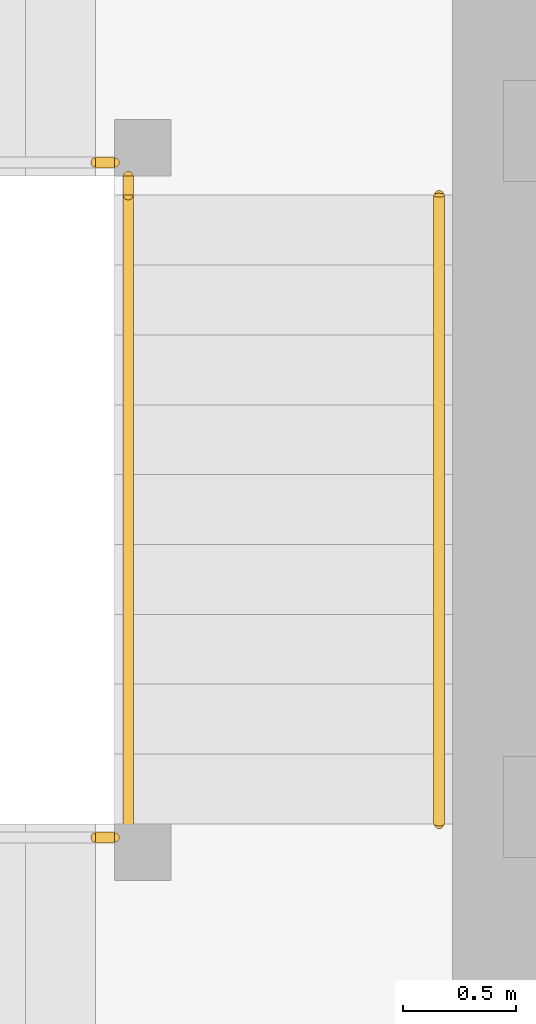
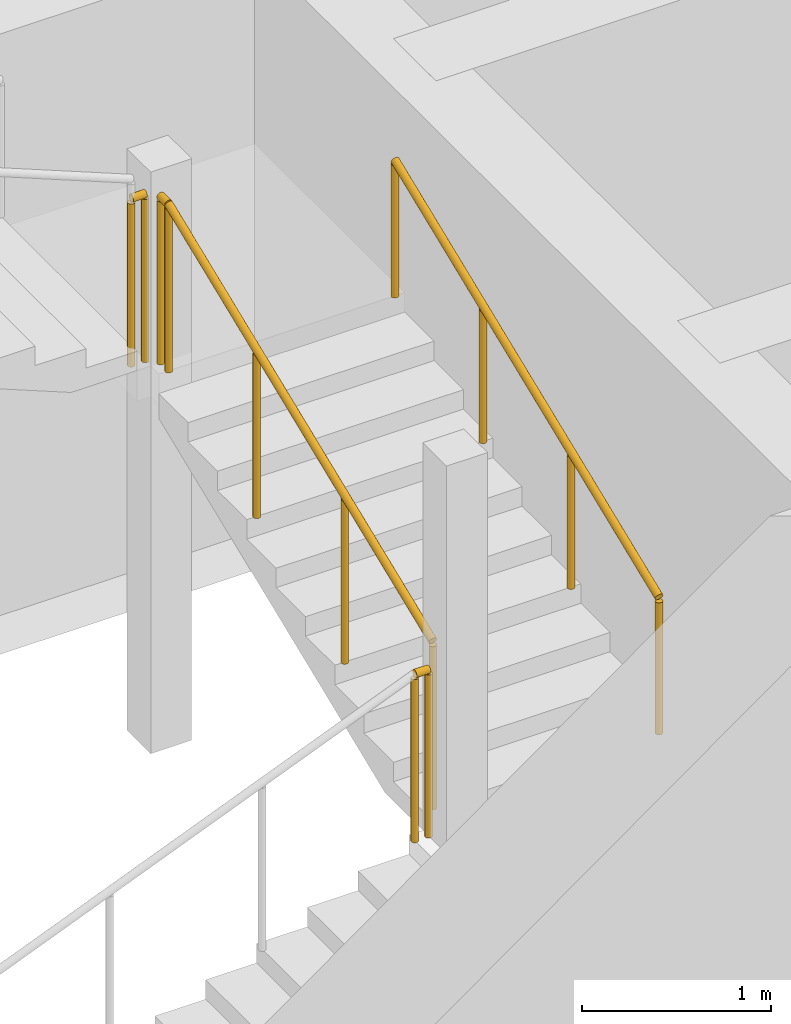
# One storey, part 34 of 38: 5 railings.
"""IFC4 building model written with IfcOpenShell, lengths in metres."""

from ifc_helpers import new_model, si_unit, direction, frame, origin, origin_2d, place, context, subcontext, project, spatial, circle, extrude, material, type_object, element, save


model = new_model("IFC4")

# Units and contexts
model_context = context("Model", 3, precision=1e-05, world=origin(), true_north=direction((0.0, 1.0)))
body_context = subcontext(model_context, "Body", "Model", "MODEL_VIEW")
ifc_project = project(units=[si_unit("LENGTHUNIT", "METRE"), si_unit("AREAUNIT", "SQUARE_METRE"), si_unit("VOLUMEUNIT", "CUBIC_METRE"), si_unit("PLANEANGLEUNIT", "RADIAN"), si_unit("MASSUNIT", "GRAM", prefix="KILO")], contexts=[model_context])

# Site, building, storey
site_placement = place(None, origin())
site = spatial("IfcSite", under=ifc_project, at=site_placement, CompositionType="ELEMENT")
building_placement = place(site_placement, origin())
building = spatial("IfcBuilding", under=site, at=building_placement, Name="Rekha Terrace Tower", CompositionType="ELEMENT")
storey_placement = place(building_placement, frame((0.0, 0.0, 114.050048828125)))
storey = spatial("IfcBuildingStorey", under=building, at=storey_placement, Name="L28", CompositionType="ELEMENT", Elevation=114.050048828125)

# Railings
ifc_material_1 = material(Name="Stainless steel balustrade", Category="steel")
railing_type_1 = type_object("IfcRailingType", Name="GR1 1100 stair guard", PredefinedType="GUARDRAIL", material=ifc_material_1)
railing_1_placement = place(storey_placement, frame((30.135009765625, 41.324951171875, 1.375)))
element("IfcRailing", 1, at=railing_1_placement, inside=storey, type_object=railing_type_1, Name="Guard ST4 L28 flight 2", PredefinedType="GUARDRAIL", context=body_context, shape_type="SweptSolid", body=[
    extrude(circle(Radius=0.02392578125, at=origin_2d()), frame((0.0, 0.0, 1.076171875), z_axis=(0.0, 0.927443287984, 0.373963831907), x_axis=(-1.0, 0.0, 0.0)), (0.0, 0.0, 1.0), 3.00830078125),
    extrude(circle(Radius=0.02099609375, at=origin_2d()), origin(), (0.0, 0.0, 1.0), 1.052001953125),
    extrude(circle(Radius=0.02099609375, at=origin_2d()), frame((0.0, 0.929931640625, 0.375)), (0.0, 0.0, 1.0), 1.052001953125),
    extrude(circle(Radius=0.02099609375, at=origin_2d()), frame((0.0, 1.860107421875, 0.75)), (0.0, 0.0, 1.0), 1.052001953125),
    extrude(circle(Radius=0.02099609375, at=origin_2d()), frame((0.0, 2.7900390625, 1.125)), (0.0, 0.0, 1.0), 1.052001953125),
])
railing_2_placement = place(storey_placement, frame((29.989990234375, 41.264892578125, 1.25)))
element("IfcRailing", 2, at=railing_2_placement, inside=storey, type_object=railing_type_1, Name="Guard ST4 L28 landing 1", PredefinedType="GUARDRAIL", context=body_context, shape_type="SweptSolid", body=[
    extrude(circle(Radius=0.02392578125, at=origin_2d()), frame((0.0, 0.0, 1.076171875), z_axis=(1.0, 0.0, 0.0), x_axis=(0.0, 1.0, 0.0)), (0.0, 0.0, 1.0), 0.0849609375),
    extrude(circle(Radius=0.02099609375, at=origin_2d()), origin(), (0.0, 0.0, 1.0), 1.052001953125),
    extrude(circle(Radius=0.02099609375, at=origin_2d()), frame((0.0849609375, 0.0, 0.0)), (0.0, 0.0, 1.0), 1.052001953125),
])
railing_3_placement = place(storey_placement, frame((30.135009765625, 44.114990234375, 2.5)))
element("IfcRailing", 3, at=railing_3_placement, inside=storey, type_object=railing_type_1, Name="Guard ST4 L28 landing 2", PredefinedType="GUARDRAIL", context=body_context, shape_type="SweptSolid", body=[
    extrude(circle(Radius=0.02392578125, at=origin_2d()), frame((0.0, 0.0, 1.076171875), z_axis=(0.0, 1.0, 0.0), x_axis=(-1.0, 0.0, 0.0)), (0.0, 0.0, 1.0), 0.0849609375),
    extrude(circle(Radius=0.02099609375, at=origin_2d()), origin(), (0.0, 0.0, 1.0), 1.052001953125),
    extrude(circle(Radius=0.02099609375, at=origin_2d()), frame((0.0, 0.0849609375, 0.0)), (0.0, 0.0, 1.0), 1.052001953125),
])
railing_4_placement = place(storey_placement, frame((29.989990234375, 44.260009765625, 2.5)))
element("IfcRailing", 4, at=railing_4_placement, inside=storey, type_object=railing_type_1, Name="Guard ST4 L28 landing 3", PredefinedType="GUARDRAIL", context=body_context, shape_type="SweptSolid", body=[
    extrude(circle(Radius=0.02392578125, at=origin_2d()), frame((0.0, 0.0, 1.076171875), z_axis=(1.0, 0.0, 0.0), x_axis=(0.0, 1.0, 0.0)), (0.0, 0.0, 1.0), 0.0849609375),
    extrude(circle(Radius=0.02099609375, at=origin_2d()), origin(), (0.0, 0.0, 1.0), 1.052001953125),
    extrude(circle(Radius=0.02099609375, at=origin_2d()), frame((0.0849609375, 0.0, 0.0)), (0.0, 0.0, 1.0), 1.052001953125),
])
ifc_material_2 = material(Name="Stainless steel tube", Category="steel")
railing_type_2 = type_object("IfcRailingType", Name="HR1 900 stair handrail", PredefinedType="HANDRAIL", material=ifc_material_2)
railing_5_placement = place(storey_placement, frame((31.514892578125, 41.324951171875, 1.375)))
element("IfcRailing", 5, at=railing_5_placement, inside=storey, type_object=railing_type_2, Name="Handrail ST4 L28 flight 2", PredefinedType="HANDRAIL", context=body_context, shape_type="SweptSolid", body=[
    extrude(circle(Radius=0.02392578125, at=origin_2d()), frame((0.0, 0.0, 0.8759765625), z_axis=(0.0, 0.927443287984, 0.373963831907), x_axis=(-1.0, 0.0, 0.0)), (0.0, 0.0, 1.0), 3.00830078125),
    extrude(circle(Radius=0.02099609375, at=origin_2d()), origin(), (0.0, 0.0, 1.0), 0.851806640625),
    extrude(circle(Radius=0.02099609375, at=origin_2d()), frame((0.0, 0.929931640625, 0.375)), (0.0, 0.0, 1.0), 0.851806640625),
    extrude(circle(Radius=0.02099609375, at=origin_2d()), frame((0.0, 1.860107421875, 0.75)), (0.0, 0.0, 1.0), 0.851806640625),
    extrude(circle(Radius=0.02099609375, at=origin_2d()), frame((0.0, 2.7900390625, 1.125)), (0.0, 0.0, 1.0), 0.851806640625),
])

save(model, "model.ifc")
